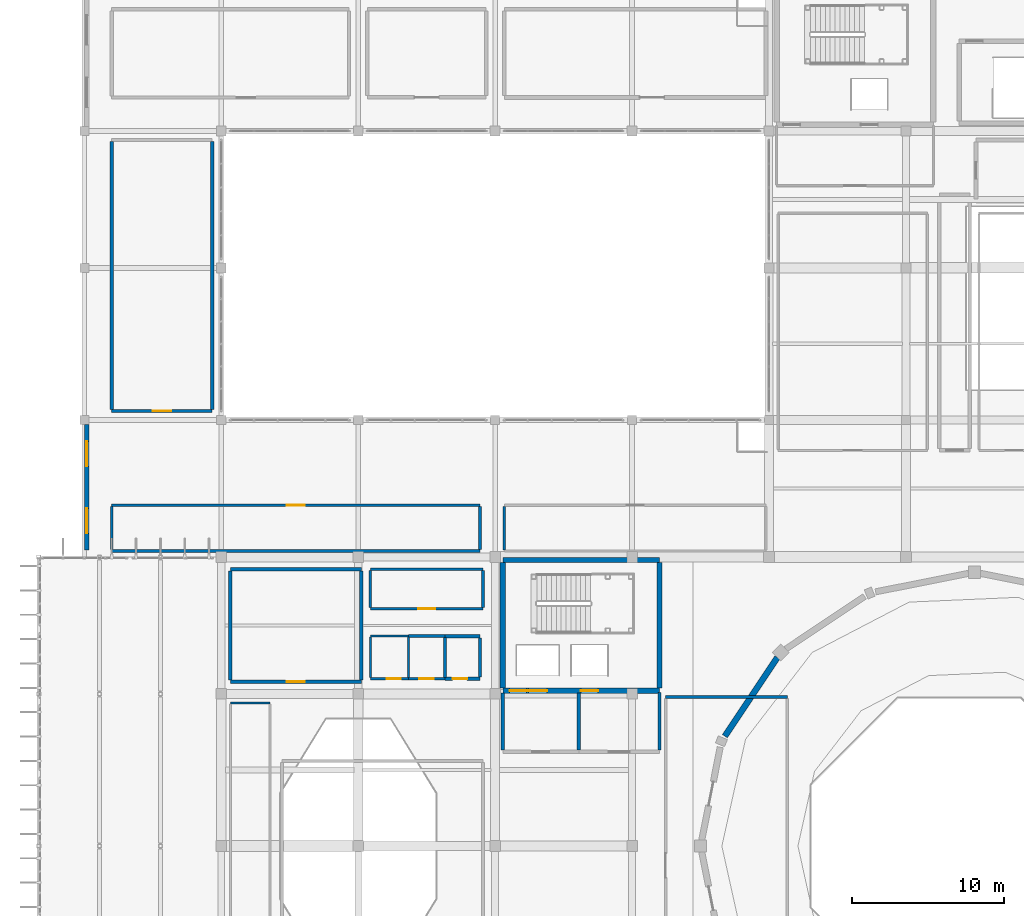
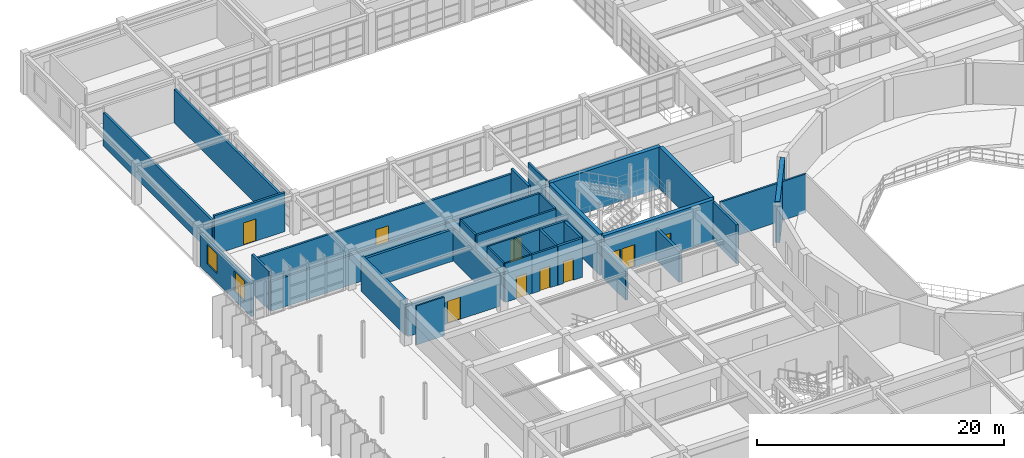
# One storey, part 96 of 110: 37 walls, 10 doors, 2 windows, 12 openings.
"""IFC4 building model written with IfcOpenShell, lengths in metres."""

from ifc_helpers import new_model, si_unit, direction, frame, frame_2d, origin, place, context, subcontext, project, spatial, rectangle, extrude, material, layer, layer_set, type_object, element, fill, save


model = new_model("IFC4")

# Units and contexts
model_context = context("Model", 3, precision=1e-05, world=origin(), true_north=direction((0.0, 1.0)))
body_context = subcontext(model_context, "Body", "Model", "MODEL_VIEW")
ifc_project = project(units=[si_unit("LENGTHUNIT", "METRE"), si_unit("AREAUNIT", "SQUARE_METRE"), si_unit("VOLUMEUNIT", "CUBIC_METRE"), si_unit("PLANEANGLEUNIT", "RADIAN"), si_unit("MASSUNIT", "GRAM", prefix="KILO")], contexts=[model_context])

# Site, building, storey
site_placement = place(None, origin())
site = spatial("IfcSite", under=ifc_project, at=site_placement, CompositionType="ELEMENT")
building_placement = place(site_placement, origin())
building = spatial("IfcBuilding", under=site, at=building_placement, Name="Miravela Opera House", CompositionType="ELEMENT")
storey_placement = place(building_placement, frame((0.0, 0.0, 13.60009765625)))
storey = spatial("IfcBuildingStorey", under=building, at=storey_placement, Name="L03", CompositionType="ELEMENT", Elevation=13.60009765625)

# Wall, openings, windows
ifc_material_1 = material(Name="Insulated cream lime-stuccoed masonry", Category="masonry")
ifc_layer_1 = layer(ifc_material_1, 0.2900390625)
ifc_layer_set_1 = layer_set([ifc_layer_1])
wall_type_1 = type_object("IfcWallType", Name="ARC-EW-STUCCO-290", PredefinedType="STANDARD", material=ifc_layer_set_1)
wall_1_placement = place(storey_placement, frame((18.14990234375, 75.449951171875, 0.0), z_axis=(0.0, 0.0, 1.0), x_axis=(0.0, 1.0, 0.0)))
wall_1 = element("IfcWall", 1, at=wall_1_placement, inside=storey, type_object=wall_type_1, Name="Spanish Colonial Stucco Facade Wall L03-046", PredefinedType="STANDARD", context=body_context, shape_type="SweptSolid", body=[
    extrude(rectangle(XDim=8.25, YDim=0.2900390625, at=frame_2d((4.125, 0.0))), origin(), (0.0, 0.0, 1.0), 3.27685546875),
])
opening_1_placement = place(wall_1_placement, frame((1.10009765625, 0.0, 0.89990234375)))
opening_1 = element("IfcOpeningElement", 2, at=opening_1_placement, cuts=wall_1, Name="Opening W-17", PredefinedType="OPENING", context=body_context, shape_type="SweptSolid", body=[
    extrude(rectangle(XDim=1.64990234375, YDim=1.949951171875, at=frame_2d((0.824951171875, 0.97509765625))), frame((0.0, 0.155029296875, 0.0), z_axis=(0.0, -1.0, 0.0), x_axis=(1.0, 0.0, 0.0)), (0.0, 0.0, 1.0), 0.31005859375),
])
opening_2_placement = place(wall_1_placement, frame((5.5, 0.0, 0.89990234375)))
opening_2 = element("IfcOpeningElement", 3, at=opening_2_placement, cuts=wall_1, Name="Opening W-17", PredefinedType="OPENING", context=body_context, shape_type="SweptSolid", body=[
    extrude(rectangle(XDim=1.64990234375, YDim=1.949951171875, at=frame_2d((0.824951171875, 0.97509765625))), frame((0.0, 0.155029296875, 0.0), z_axis=(0.0, -1.0, 0.0), x_axis=(1.0, 0.0, 0.0)), (0.0, 0.0, 1.0), 0.31005859375),
])
ifc_material_2 = material(Name="Bronze-anodised aluminium and acoustic low-E glass", Category="aluminium")
window_type = type_object("IfcWindowType", Name="ARC-WIN-17", PartitioningType="DOUBLE_PANEL_VERTICAL", PredefinedType="WINDOW", material=ifc_material_2)
window_1_placement = place(opening_1_placement, origin())
window_1 = element("IfcWindow", 4, at=window_1_placement, inside=storey, type_object=window_type, Name="Window W-17 #112", OverallHeight=1.949951171875, OverallWidth=1.64990234375, PartitioningType="DOUBLE_PANEL_VERTICAL", PredefinedType="WINDOW", context=body_context, shape_type="SweptSolid", body=[
    extrude(rectangle(XDim=1.64990234375, YDim=1.949951171875, at=frame_2d((0.824951171875, 0.97509765625))), frame((0.0, 0.030029296875, 0.0), z_axis=(0.0, -1.0, 0.0), x_axis=(1.0, 0.0, 0.0)), (0.0, 0.0, 1.0), 0.06005859375),
])
fill(opening_1, window_1)
window_2_placement = place(opening_2_placement, origin())
window_2 = element("IfcWindow", 5, at=window_2_placement, inside=storey, type_object=window_type, Name="Window W-17 #113", OverallHeight=1.949951171875, OverallWidth=1.64990234375, PartitioningType="DOUBLE_PANEL_VERTICAL", PredefinedType="WINDOW", context=body_context, shape_type="SweptSolid", body=[
    extrude(rectangle(XDim=1.64990234375, YDim=1.949951171875, at=frame_2d((0.824951171875, 0.97509765625))), frame((0.0, 0.030029296875, 0.0), z_axis=(0.0, -1.0, 0.0), x_axis=(1.0, 0.0, 0.0)), (0.0, 0.0, 1.0), 0.06005859375),
])
fill(opening_2, window_2)

# Wall, opening, door
ifc_material_3 = material(Name="Sanitary chase acoustic plumbing wall")
ifc_layer_2 = layer(ifc_material_3, 0.139892578125)
ifc_layer_set_2 = layer_set([ifc_layer_2])
wall_type_2 = type_object("IfcWallType", Name="ARC-PLW-150", PredefinedType="PLUMBINGWALL", material=ifc_layer_set_2)
wall_2_placement = place(storey_placement, frame((36.800048828125, 67.0, 0.0), z_axis=(0.0, 0.0, 1.0), x_axis=(1.0, 0.0, 0.0)))
wall_2 = element("IfcWall", 6, at=wall_2_placement, inside=storey, type_object=wall_type_2, Name="Accessible WC L03 Partition South", PredefinedType="PLUMBINGWALL", context=body_context, shape_type="SweptSolid", body=[
    extrude(rectangle(XDim=2.5, YDim=0.139892578125, at=frame_2d((1.25, 0.0))), origin(), (0.0, 0.0, 1.0), 3.83984375),
])
opening_3_placement = place(wall_2_placement, frame((1.05908203125, 0.0, 0.0)))
opening_3 = element("IfcOpeningElement", 7, at=opening_3_placement, cuts=wall_2, Name="Opening ID-01", PredefinedType="OPENING", context=body_context, shape_type="SweptSolid", body=[
    extrude(rectangle(XDim=0.949951171875, YDim=2.14990234375, at=frame_2d((0.47509765625, 1.074951171875))), frame((0.0, 0.079833984375, 0.0), z_axis=(0.0, -1.0, 0.0), x_axis=(1.0, 0.0, 0.0)), (0.0, 0.0, 1.0), 0.159912109375),
])
ifc_material_4 = material(Name="Solid mahogany acoustic room door")
door_type_1 = type_object("IfcDoorType", Name="ARC-DR-950X2150", OperationType="NOTDEFINED", PredefinedType="DOOR", material=ifc_material_4)
door_1_placement = place(opening_3_placement, origin())
door_1 = element("IfcDoor", 8, at=door_1_placement, inside=storey, type_object=door_type_1, Name="Accessible WC L03 Entry Door IDR-L03-0268", OperationType="SINGLE_SWING_RIGHT", OverallHeight=2.14990234375, OverallWidth=0.949951171875, PredefinedType="DOOR", context=body_context, shape_type="SweptSolid", body=[
    extrude(rectangle(XDim=0.949951171875, YDim=2.14990234375, at=frame_2d((0.47509765625, 1.074951171875))), frame((0.0, 0.02490234375, 0.0), z_axis=(0.0, -1.0, 0.0), x_axis=(1.0, 0.0, 0.0)), (0.0, 0.0, 1.0), 0.050048828125),
])
fill(opening_3, door_1)

# Walls
wall_3_placement = place(storey_placement, frame((36.800048828125, 69.800048828125, 0.0), z_axis=(0.0, 0.0, 1.0), x_axis=(1.0, 0.0, 0.0)))
element("IfcWall", 9, at=wall_3_placement, inside=storey, type_object=wall_type_2, Name="Accessible WC L03 Partition North", PredefinedType="PLUMBINGWALL", context=body_context, shape_type="SweptSolid", body=[
    extrude(rectangle(XDim=2.5, YDim=0.139892578125, at=frame_2d((1.25, 0.0))), origin(), (0.0, 0.0, 1.0), 3.83984375),
])
for number, where, z_axis, x_axis, name in (
    (10, (36.800048828125, 67.070068359375, 0.0), (0.0, 0.0, 1.0), (0.0, 1.0, 0.0), "Accessible WC L03 Partition West"),
    (11, (39.300048828125, 67.070068359375, 0.0), (0.0, 0.0, 1.0), (0.0, 1.0, 0.0), "Accessible WC L03 Partition East"),
):
    element("IfcWall", number, at=place(storey_placement, frame(where, z_axis=z_axis, x_axis=x_axis)), inside=storey, type_object=wall_type_2, Name=name, PredefinedType="PLUMBINGWALL", context=body_context, shape_type="SweptSolid", body=[
        extrude(rectangle(XDim=2.659912109375, YDim=0.139892578125, at=frame_2d((1.330078125, 0.0))), origin(), (0.0, 0.0, 1.0), 3.83984375),
    ])

# Wall, opening, door
ifc_material_5 = material(Name="Public washroom wet-service chase wall")
ifc_layer_3 = layer(ifc_material_5, 0.179931640625)
ifc_layer_set_3 = layer_set([ifc_layer_3])
wall_type_3 = type_object("IfcWallType", Name="ARC-PLW-180", PredefinedType="PLUMBINGWALL", material=ifc_layer_set_3)
wall_4_placement = place(storey_placement, frame((39.300048828125, 67.0, 0.0), z_axis=(0.0, 0.0, 1.0), x_axis=(1.0, 0.0, 0.0)))
wall_4 = element("IfcWall", 12, at=wall_4_placement, inside=storey, type_object=wall_type_3, Name="Female Public WC L03 Partition South", PredefinedType="PLUMBINGWALL", context=body_context, shape_type="SweptSolid", body=[
    extrude(rectangle(XDim=2.39990234375, YDim=0.179931640625, at=frame_2d((1.199951171875, 0.0))), origin(), (0.0, 0.0, 1.0), 3.83984375),
])
opening_4_placement = place(wall_4_placement, frame((0.72509765625, 0.0, 0.0)))
opening_4 = element("IfcOpeningElement", 13, at=opening_4_placement, cuts=wall_4, Name="Opening ID-01", PredefinedType="OPENING", context=body_context, shape_type="SweptSolid", body=[
    extrude(rectangle(XDim=0.949951171875, YDim=2.14990234375, at=frame_2d((0.47509765625, 1.074951171875))), frame((0.0, 0.099853515625, 0.0), z_axis=(0.0, -1.0, 0.0), x_axis=(1.0, 0.0, 0.0)), (0.0, 0.0, 1.0), 0.199951171875),
])
door_2_placement = place(opening_4_placement, origin())
door_2 = element("IfcDoor", 14, at=door_2_placement, inside=storey, type_object=door_type_1, Name="Female Public WC L03 Entry Door IDR-L03-0269", OperationType="SINGLE_SWING_LEFT", OverallHeight=2.14990234375, OverallWidth=0.949951171875, PredefinedType="DOOR", context=body_context, shape_type="SweptSolid", body=[
    extrude(rectangle(XDim=0.949951171875, YDim=2.14990234375, at=frame_2d((0.47509765625, 1.074951171875))), frame((0.0, 0.02490234375, 0.0), z_axis=(0.0, -1.0, 0.0), x_axis=(1.0, 0.0, 0.0)), (0.0, 0.0, 1.0), 0.050048828125),
])
fill(opening_4, door_2)

# Walls
wall_5_placement = place(storey_placement, frame((39.300048828125, 69.800048828125, 0.0), z_axis=(0.0, 0.0, 1.0), x_axis=(1.0, 0.0, 0.0)))
element("IfcWall", 15, at=wall_5_placement, inside=storey, type_object=wall_type_3, Name="Female Public WC L03 Partition North", PredefinedType="PLUMBINGWALL", context=body_context, shape_type="SweptSolid", body=[
    extrude(rectangle(XDim=2.39990234375, YDim=0.179931640625, at=frame_2d((1.199951171875, 0.0))), origin(), (0.0, 0.0, 1.0), 3.83984375),
])
wall_6_placement = place(storey_placement, frame((41.699951171875, 67.090087890625, 0.0), z_axis=(0.0, 0.0, 1.0), x_axis=(0.0, 1.0, 0.0)))
element("IfcWall", 16, at=wall_6_placement, inside=storey, type_object=wall_type_3, Name="Female Public WC L03 Partition East", PredefinedType="PLUMBINGWALL", context=body_context, shape_type="SweptSolid", body=[
    extrude(rectangle(XDim=2.619873046875, YDim=0.179931640625, at=frame_2d((1.31005859375, 0.0))), origin(), (0.0, 0.0, 1.0), 3.83984375),
])

# Wall, opening, door
ifc_material_6 = material(Name="Dressing suite sanitary chase wall")
ifc_layer_4 = layer(ifc_material_6, 0.219970703125)
ifc_layer_set_4 = layer_set([ifc_layer_4])
wall_type_4 = type_object("IfcWallType", Name="ARC-PLW-215", PredefinedType="PLUMBINGWALL", material=ifc_layer_set_4)
wall_7_placement = place(storey_placement, frame((41.699951171875, 67.0, 0.0), z_axis=(0.0, 0.0, 1.0), x_axis=(1.0, 0.0, 0.0)))
wall_7 = element("IfcWall", 17, at=wall_7_placement, inside=storey, type_object=wall_type_4, Name="Male Public WC L03 Partition South", PredefinedType="PLUMBINGWALL", context=body_context, shape_type="SweptSolid", body=[
    extrude(rectangle(XDim=2.300048828125, YDim=0.219970703125, at=frame_2d((1.14990234375, 0.0))), origin(), (0.0, 0.0, 1.0), 3.83984375),
])
opening_5_placement = place(wall_7_placement, frame((0.50927734375, 0.0, 0.0)))
opening_5 = element("IfcOpeningElement", 18, at=opening_5_placement, cuts=wall_7, Name="Opening ID-01", PredefinedType="OPENING", context=body_context, shape_type="SweptSolid", body=[
    extrude(rectangle(XDim=0.949951171875, YDim=2.14990234375, at=frame_2d((0.47509765625, 1.074951171875))), frame((0.0, 0.119873046875, 0.0), z_axis=(0.0, -1.0, 0.0), x_axis=(1.0, 0.0, 0.0)), (0.0, 0.0, 1.0), 0.239990234375),
])
door_3_placement = place(opening_5_placement, origin())
door_3 = element("IfcDoor", 19, at=door_3_placement, inside=storey, type_object=door_type_1, Name="Male Public WC L03 Entry Door IDR-L03-0270", OperationType="SINGLE_SWING_RIGHT", OverallHeight=2.14990234375, OverallWidth=0.949951171875, PredefinedType="DOOR", context=body_context, shape_type="SweptSolid", body=[
    extrude(rectangle(XDim=0.949951171875, YDim=2.14990234375, at=frame_2d((0.47509765625, 1.074951171875))), frame((0.0, 0.02490234375, 0.0), z_axis=(0.0, -1.0, 0.0), x_axis=(1.0, 0.0, 0.0)), (0.0, 0.0, 1.0), 0.050048828125),
])
fill(opening_5, door_3)

# Walls
wall_8_placement = place(storey_placement, frame((41.699951171875, 69.800048828125, 0.0), z_axis=(0.0, 0.0, 1.0), x_axis=(1.0, 0.0, 0.0)))
element("IfcWall", 20, at=wall_8_placement, inside=storey, type_object=wall_type_4, Name="Male Public WC L03 Partition North", PredefinedType="PLUMBINGWALL", context=body_context, shape_type="SweptSolid", body=[
    extrude(rectangle(XDim=2.300048828125, YDim=0.219970703125, at=frame_2d((1.14990234375, 0.0))), origin(), (0.0, 0.0, 1.0), 3.83984375),
])
wall_9_placement = place(storey_placement, frame((44.0, 67.110107421875, 0.0), z_axis=(0.0, 0.0, 1.0), x_axis=(0.0, 1.0, 0.0)))
element("IfcWall", 21, at=wall_9_placement, inside=storey, type_object=wall_type_4, Name="Male Public WC L03 Partition East", PredefinedType="PLUMBINGWALL", context=body_context, shape_type="SweptSolid", body=[
    extrude(rectangle(XDim=2.579833984375, YDim=0.219970703125, at=frame_2d((1.2900390625, 0.0))), origin(), (0.0, 0.0, 1.0), 3.83984375),
])
ifc_material_7 = material(Name="Studio double-stud acoustic partition")
ifc_layer_5 = layer(ifc_material_7, 0.14990234375)
ifc_layer_set_5 = layer_set([ifc_layer_5])
wall_type_5 = type_object("IfcWallType", Name="ARC-PT-145", PredefinedType="PARTITIONING", material=ifc_layer_set_5)
wall_10_placement = place(storey_placement, frame((27.60009765625, 65.39990234375, 0.0), z_axis=(0.0, 0.0, 1.0), x_axis=(1.0, 0.0, 0.0)))
element("IfcWall", 22, at=wall_10_placement, inside=storey, type_object=wall_type_5, Name="Opera Chorus Vocal Practice Hall Partition North", PredefinedType="PARTITIONING", context=body_context, shape_type="SweptSolid", body=[
    extrude(rectangle(XDim=2.599853515625, YDim=0.14990234375, at=frame_2d((1.2998046875, 0.0))), origin(), (0.0, 0.0, 1.0), 3.83984375),
])
wall_11_placement = place(storey_placement, frame((45.60009765625, 75.47509765625, 0.0), z_axis=(0.0, 0.0, 1.0), x_axis=(0.0, 1.0, 0.0)))
element("IfcWall", 23, at=wall_11_placement, inside=storey, type_object=wall_type_5, Name="Historical Stage Design Gallery Partition West", PredefinedType="PARTITIONING", context=body_context, shape_type="SweptSolid", body=[
    extrude(rectangle(XDim=2.849853515625, YDim=0.14990234375, at=frame_2d((1.4248046875, 0.0))), origin(), (0.0, 0.0, 1.0), 3.83984375),
])
ifc_material_8 = material(Name="Rehearsal isolated acoustic partition")
ifc_layer_6 = layer(ifc_material_8, 0.169921875)
ifc_layer_set_6 = layer_set([ifc_layer_6])
wall_type_6 = type_object("IfcWallType", Name="ARC-PT-170", PredefinedType="PARTITIONING", material=ifc_layer_set_6)
wall_12_placement = place(storey_placement, frame((56.199951171875, 65.800048828125, 0.0), z_axis=(0.0, 0.0, 1.0), x_axis=(1.0, 0.0, 0.0)))
element("IfcWall", 24, at=wall_12_placement, inside=storey, type_object=wall_type_6, Name="Opera Auditorium West Upper Circle Salon Partition North", PredefinedType="PARTITIONING", context=body_context, shape_type="SweptSolid", body=[
    extrude(rectangle(XDim=8.0, YDim=0.169921875, at=frame_2d((4.0, 0.0))), origin(), (0.0, 0.0, 1.0), 3.83984375),
])

# Wall, opening, door
wall_13_placement = place(storey_placement, frame((36.800048828125, 71.60009765625, 0.0), z_axis=(0.0, 0.0, 1.0), x_axis=(1.0, 0.0, 0.0)))
wall_13 = element("IfcWall", 25, at=wall_13_placement, inside=storey, type_object=wall_type_6, Name="Scenic Digital Projection Lab Partition South", PredefinedType="PARTITIONING", context=body_context, shape_type="SweptSolid", body=[
    extrude(rectangle(XDim=7.39990234375, YDim=0.169921875, at=frame_2d((3.699951171875, 0.0))), origin(), (0.0, 0.0, 1.0), 3.83984375),
])
opening_6_placement = place(wall_13_placement, frame((3.14990234375, 0.0, 0.0)))
opening_6 = element("IfcOpeningElement", 26, at=opening_6_placement, cuts=wall_13, Name="Opening ID-03", PredefinedType="OPENING", context=body_context, shape_type="SweptSolid", body=[
    extrude(rectangle(XDim=1.10009765625, YDim=2.199951171875, at=frame_2d((0.550048828125, 1.10009765625))), frame((0.0, 0.094970703125, 0.0), z_axis=(0.0, -1.0, 0.0), x_axis=(1.0, 0.0, 0.0)), (0.0, 0.0, 1.0), 0.18994140625),
])
ifc_material_9 = material(Name="Acoustic hardwood studio door", Category="wood")
door_type_2 = type_object("IfcDoorType", Name="ARC-DR-1100X2200", OperationType="NOTDEFINED", PredefinedType="DOOR", material=ifc_material_9)
door_4_placement = place(opening_6_placement, frame((1.10009765625, 0.0, 0.0), z_axis=(0.0, 0.0, 1.0), x_axis=(-1.0, 0.0, 0.0)))
door_4 = element("IfcDoor", 27, at=door_4_placement, inside=storey, type_object=door_type_2, Name="Scenic Digital Projection Lab Entry Door IDR-L03-0299", OperationType="SINGLE_SWING_RIGHT", OverallHeight=2.199951171875, OverallWidth=1.10009765625, PredefinedType="DOOR", context=body_context, shape_type="SweptSolid", body=[
    extrude(rectangle(XDim=1.10009765625, YDim=2.199951171875, at=frame_2d((0.550048828125, 1.10009765625))), frame((0.0, 0.02490234375, 0.0), z_axis=(0.0, -1.0, 0.0), x_axis=(1.0, 0.0, 0.0)), (0.0, 0.0, 1.0), 0.050048828125),
])
fill(opening_6, door_4)

# Walls
wall_14_placement = place(storey_placement, frame((36.800048828125, 74.199951171875, 0.0), z_axis=(0.0, 0.0, 1.0), x_axis=(1.0, 0.0, 0.0)))
element("IfcWall", 28, at=wall_14_placement, inside=storey, type_object=wall_type_6, Name="Scenic Digital Projection Lab Partition North", PredefinedType="PARTITIONING", context=body_context, shape_type="SweptSolid", body=[
    extrude(rectangle(XDim=7.39990234375, YDim=0.169921875, at=frame_2d((3.699951171875, 0.0))), origin(), (0.0, 0.0, 1.0), 3.83984375),
])
for number, where, z_axis, x_axis, name in (
    (29, (36.800048828125, 71.68505859375, 0.0), (0.0, 0.0, 1.0), (0.0, 1.0, 0.0), "Scenic Digital Projection Lab Partition West"),
    (30, (44.199951171875, 71.68505859375, 0.0), (0.0, 0.0, 1.0), (0.0, 1.0, 0.0), "Scenic Digital Projection Lab Partition East"),
):
    element("IfcWall", number, at=place(storey_placement, frame(where, z_axis=z_axis, x_axis=x_axis)), inside=storey, type_object=wall_type_6, Name=name, PredefinedType="PARTITIONING", context=body_context, shape_type="SweptSolid", body=[
        extrude(rectangle(XDim=2.429931640625, YDim=0.169921875, at=frame_2d((1.21484375, 0.0))), origin(), (0.0, 0.0, 1.0), 3.83984375),
    ])
ifc_material_10 = material(Name="Corridor fire-resisting masonry partition", Category="masonry")
ifc_layer_7 = layer(ifc_material_10, 0.18994140625)
ifc_layer_set_7 = layer_set([ifc_layer_7])
wall_type_7 = type_object("IfcWallType", Name="ARC-PT-190", PredefinedType="PARTITIONING", material=ifc_layer_set_7)
wall_15_placement = place(storey_placement, frame((19.800048828125, 75.39990234375, 0.0), z_axis=(0.0, 0.0, 1.0), x_axis=(1.0, 0.0, 0.0)))
element("IfcWall", 31, at=wall_15_placement, inside=storey, type_object=wall_type_7, Name="Choreography Video Analysis Studio Partition South", PredefinedType="PARTITIONING", context=body_context, shape_type="SweptSolid", body=[
    extrude(rectangle(XDim=24.199951171875, YDim=0.18994140625, at=frame_2d((12.10009765625, 0.0))), origin(), (0.0, 0.0, 1.0), 2.919921875),
])

# Wall, opening, door
wall_16_placement = place(storey_placement, frame((19.800048828125, 78.39990234375, 0.0), z_axis=(0.0, 0.0, 1.0), x_axis=(1.0, 0.0, 0.0)))
wall_16 = element("IfcWall", 32, at=wall_16_placement, inside=storey, type_object=wall_type_7, Name="Choreography Video Analysis Studio Partition North", PredefinedType="PARTITIONING", context=body_context, shape_type="SweptSolid", body=[
    extrude(rectangle(XDim=24.199951171875, YDim=0.18994140625, at=frame_2d((12.10009765625, 0.0))), origin(), (0.0, 0.0, 1.0), 3.27685546875),
])
opening_7_placement = place(wall_16_placement, frame((11.5, 0.0, 0.0)))
opening_7 = element("IfcOpeningElement", 33, at=opening_7_placement, cuts=wall_16, Name="Opening ID-04", PredefinedType="OPENING", context=body_context, shape_type="SweptSolid", body=[
    extrude(rectangle(XDim=1.199951171875, YDim=2.199951171875, at=frame_2d((0.60009765625, 1.10009765625))), frame((0.0, 0.10498046875, 0.0), z_axis=(0.0, -1.0, 0.0), x_axis=(1.0, 0.0, 0.0)), (0.0, 0.0, 1.0), 0.2099609375),
])
ifc_material_11 = material(Name="Wide acoustic ensemble door")
door_type_3 = type_object("IfcDoorType", Name="ARC-DR-1200X2200", OperationType="NOTDEFINED", PredefinedType="DOOR", material=ifc_material_11)
door_5_placement = place(opening_7_placement, origin())
door_5 = element("IfcDoor", 34, at=door_5_placement, inside=storey, type_object=door_type_3, Name="Choreography Video Analysis Studio Entry Door IDR-L03-0281", OperationType="SINGLE_SWING_RIGHT", OverallHeight=2.199951171875, OverallWidth=1.199951171875, PredefinedType="DOOR", context=body_context, shape_type="SweptSolid", body=[
    extrude(rectangle(XDim=1.199951171875, YDim=2.199951171875, at=frame_2d((0.60009765625, 1.10009765625))), frame((0.0, 0.02490234375, 0.0), z_axis=(0.0, -1.0, 0.0), x_axis=(1.0, 0.0, 0.0)), (0.0, 0.0, 1.0), 0.050048828125),
])
fill(opening_7, door_5)

# Walls
for number, where, z_axis, x_axis, name in (
    (35, (19.800048828125, 75.4951171875, 0.0), (0.0, 0.0, 1.0), (0.0, 1.0, 0.0), "Choreography Video Analysis Studio Partition West"),
    (36, (44.0, 75.4951171875, 0.0), (0.0, 0.0, 1.0), (0.0, 1.0, 0.0), "Choreography Video Analysis Studio Partition East"),
):
    element("IfcWall", number, at=place(storey_placement, frame(where, z_axis=z_axis, x_axis=x_axis)), inside=storey, type_object=wall_type_7, Name=name, PredefinedType="PARTITIONING", context=body_context, shape_type="SweptSolid", body=[
        extrude(rectangle(XDim=2.809814453125, YDim=0.18994140625, at=frame_2d((1.40478515625, 0.0))), origin(), (0.0, 0.0, 1.0), 3.83984375),
    ])

# Wall, opening, door
ifc_material_12 = material(Name="High-STC auditorium lobby partition")
ifc_layer_8 = layer(ifc_material_12, 0.22998046875)
ifc_layer_set_8 = layer_set([ifc_layer_8])
wall_type_8 = type_object("IfcWallType", Name="ARC-PT-205", PredefinedType="PARTITIONING", material=ifc_layer_set_8)
wall_17_placement = place(storey_placement, frame((27.60009765625, 66.800048828125, 0.0), z_axis=(0.0, 0.0, 1.0), x_axis=(1.0, 0.0, 0.0)))
wall_17 = element("IfcWall", 37, at=wall_17_placement, inside=storey, type_object=wall_type_8, Name="Contemporary Dance and Mime Studio Partition South", PredefinedType="PARTITIONING", context=body_context, shape_type="SweptSolid", body=[
    extrude(rectangle(XDim=8.599853515625, YDim=0.22998046875, at=frame_2d((4.2998046875, 0.0))), origin(), (0.0, 0.0, 1.0), 3.119873046875),
])
opening_8_placement = place(wall_17_placement, frame((3.699951171875, 0.0, 0.0)))
opening_8 = element("IfcOpeningElement", 38, at=opening_8_placement, cuts=wall_17, Name="Opening ID-04", PredefinedType="OPENING", context=body_context, shape_type="SweptSolid", body=[
    extrude(rectangle(XDim=1.199951171875, YDim=2.199951171875, at=frame_2d((0.60009765625, 1.10009765625))), frame((0.0, 0.125, 0.0), z_axis=(0.0, -1.0, 0.0), x_axis=(1.0, 0.0, 0.0)), (0.0, 0.0, 1.0), 0.25),
])
door_6_placement = place(opening_8_placement, origin())
door_6 = element("IfcDoor", 39, at=door_6_placement, inside=storey, type_object=door_type_3, Name="Contemporary Dance and Mime Studio Entry Door IDR-L03-0293", OperationType="SINGLE_SWING_RIGHT", OverallHeight=2.199951171875, OverallWidth=1.199951171875, PredefinedType="DOOR", context=body_context, shape_type="SweptSolid", body=[
    extrude(rectangle(XDim=1.199951171875, YDim=2.199951171875, at=frame_2d((0.60009765625, 1.10009765625))), frame((0.0, 0.02490234375, 0.0), z_axis=(0.0, -1.0, 0.0), x_axis=(1.0, 0.0, 0.0)), (0.0, 0.0, 1.0), 0.050048828125),
])
fill(opening_8, door_6)

# Walls
wall_18_placement = place(storey_placement, frame((27.60009765625, 74.199951171875, 0.0), z_axis=(0.0, 0.0, 1.0), x_axis=(1.0, 0.0, 0.0)))
element("IfcWall", 40, at=wall_18_placement, inside=storey, type_object=wall_type_8, Name="Contemporary Dance and Mime Studio Partition North", PredefinedType="PARTITIONING", context=body_context, shape_type="SweptSolid", body=[
    extrude(rectangle(XDim=8.599853515625, YDim=0.22998046875, at=frame_2d((4.2998046875, 0.0))), origin(), (0.0, 0.0, 1.0), 3.119873046875),
])
wall_19_placement = place(storey_placement, frame((27.60009765625, 66.9150390625, 0.0), z_axis=(0.0, 0.0, 1.0), x_axis=(0.0, 1.0, 0.0)))
element("IfcWall", 41, at=wall_19_placement, inside=storey, type_object=wall_type_8, Name="Contemporary Dance and Mime Studio Partition West", PredefinedType="PARTITIONING", context=body_context, shape_type="SweptSolid", body=[
    extrude(rectangle(XDim=7.169921875, YDim=0.22998046875, at=frame_2d((3.5849609375, 0.0))), origin(), (0.0, 0.0, 1.0), 3.469970703125),
])
wall_20_placement = place(storey_placement, frame((36.199951171875, 66.9150390625, 0.0), z_axis=(0.0, 0.0, 1.0), x_axis=(0.0, 1.0, 0.0)))
element("IfcWall", 42, at=wall_20_placement, inside=storey, type_object=wall_type_8, Name="Contemporary Dance and Mime Studio Partition East", PredefinedType="PARTITIONING", context=body_context, shape_type="SweptSolid", body=[
    extrude(rectangle(XDim=7.169921875, YDim=0.22998046875, at=frame_2d((3.5849609375, 0.0))), origin(), (0.0, 0.0, 1.0), 3.119873046875),
])
ifc_material_13 = material(Name="Workshop fire-resisting block partition")
ifc_layer_9 = layer(ifc_material_13, 0.2099609375)
ifc_layer_set_9 = layer_set([ifc_layer_9])
wall_type_9 = type_object("IfcWallType", Name="ARC-PT-210", PredefinedType="PARTITIONING", material=ifc_layer_set_9)
wall_21_placement = place(storey_placement, frame((55.800048828125, 62.304931640625, 0.0), z_axis=(0.0, 0.0, 1.0), x_axis=(0.0, 1.0, 0.0)))
element("IfcWall", 43, at=wall_21_placement, inside=storey, type_object=wall_type_9, Name="Passenger Lift Lobby K1 L03 Partition East", PredefinedType="PARTITIONING", context=body_context, shape_type="SweptSolid", body=[
    extrude(rectangle(XDim=3.7900390625, YDim=0.2099609375, at=frame_2d((1.89501953125, 0.0))), origin(), (0.0, 0.0, 1.0), 3.83984375),
])

# Wall, opening, door
wall_22_placement = place(storey_placement, frame((19.800048828125, 84.60009765625, 0.0), z_axis=(0.0, 0.0, 1.0), x_axis=(1.0, 0.0, 0.0)))
wall_22 = element("IfcWall", 44, at=wall_22_placement, inside=storey, type_object=wall_type_9, Name="Dancer Warm-Up and Barre Studio Partition South", PredefinedType="PARTITIONING", context=body_context, shape_type="SweptSolid", body=[
    extrude(rectangle(XDim=6.599853515625, YDim=0.2099609375, at=frame_2d((3.2998046875, 0.0))), origin(), (0.0, 0.0, 1.0), 3.83984375),
])
opening_9_placement = place(wall_22_placement, frame((2.699951171875, 0.0, 0.0)))
opening_9 = element("IfcOpeningElement", 45, at=opening_9_placement, cuts=wall_22, Name="Opening ID-04", PredefinedType="OPENING", context=body_context, shape_type="SweptSolid", body=[
    extrude(rectangle(XDim=1.199951171875, YDim=2.199951171875, at=frame_2d((0.60009765625, 1.10009765625))), frame((0.0, 0.114990234375, 0.0), z_axis=(0.0, -1.0, 0.0), x_axis=(1.0, 0.0, 0.0)), (0.0, 0.0, 1.0), 0.22998046875),
])
door_7_placement = place(opening_9_placement, origin())
door_7 = element("IfcDoor", 46, at=door_7_placement, inside=storey, type_object=door_type_3, Name="Dancer Warm-Up and Barre Studio Entry Door IDR-L03-0282", OperationType="SINGLE_SWING_LEFT", OverallHeight=2.199951171875, OverallWidth=1.199951171875, PredefinedType="DOOR", context=body_context, shape_type="SweptSolid", body=[
    extrude(rectangle(XDim=1.199951171875, YDim=2.199951171875, at=frame_2d((0.60009765625, 1.10009765625))), frame((0.0, 0.02490234375, 0.0), z_axis=(0.0, -1.0, 0.0), x_axis=(1.0, 0.0, 0.0)), (0.0, 0.0, 1.0), 0.050048828125),
])
fill(opening_9, door_7)

# Walls
for number, where, z_axis, x_axis, name in (
    (47, (19.800048828125, 84.705078125, 0.0), (0.0, 0.0, 1.0), (0.0, 1.0, 0.0), "Dancer Warm-Up and Barre Studio Partition West"),
    (48, (26.39990234375, 84.705078125, 0.0), (0.0, 0.0, 1.0), (0.0, 1.0, 0.0), "Dancer Warm-Up and Barre Studio Partition East"),
):
    element("IfcWall", number, at=place(storey_placement, frame(where, z_axis=z_axis, x_axis=x_axis)), inside=storey, type_object=wall_type_9, Name=name, PredefinedType="PARTITIONING", context=body_context, shape_type="SweptSolid", body=[
        extrude(rectangle(XDim=17.58984375, YDim=0.2099609375, at=frame_2d((8.794921875, 0.0))), origin(), (0.0, 0.0, 1.0), 3.27685546875),
    ])
ifc_material_14 = material(Name="Firefighting lobby compartment wall")
ifc_layer_10 = layer(ifc_material_14, 0.25)
ifc_layer_set_10 = layer_set([ifc_layer_10])
wall_type_10 = type_object("IfcWallType", Name="ARC-PT-220", PredefinedType="PARTITIONING", material=ifc_layer_set_10)
for number, where, z_axis, x_axis, name in (
    (49, (45.5, 62.324951171875, 0.0), (0.0, 0.0, 1.0), (0.0, 1.0, 0.0), "Firefighting Lobby K1 L03 Partition West"),
    (50, (50.5, 62.324951171875, 0.0), (0.0, 0.0, 1.0), (0.0, 1.0, 0.0), "Firefighting Lobby K1 L03 Partition East"),
):
    element("IfcWall", number, at=place(storey_placement, frame(where, z_axis=z_axis, x_axis=x_axis)), inside=storey, type_object=wall_type_10, Name=name, PredefinedType="PARTITIONING", context=body_context, shape_type="SweptSolid", body=[
        extrude(rectangle(XDim=3.75, YDim=0.25, at=frame_2d((1.875, 0.0))), origin(), (0.0, 0.0, 1.0), 3.06982421875),
    ])

# Wall, openings, doors
ifc_material_15 = material(Name="Concrete C40/50", Category="concrete")
ifc_layer_11 = layer(ifc_material_15, 0.35009765625)
ifc_layer_set_11 = layer_set([ifc_layer_11])
wall_type_11 = type_object("IfcWallType", Name="STR-WALL-CORE-350", PredefinedType="SHEAR", material=ifc_layer_set_11)
wall_23_placement = place(storey_placement, frame((45.5, 66.199951171875, 0.0), z_axis=(0.0, 0.0, 1.0), x_axis=(1.0, 0.0, 0.0)))
wall_23 = element("IfcWall", 51, at=wall_23_placement, inside=storey, type_object=wall_type_11, Name="Core K1 Shear Wall South (L03)", PredefinedType="SHEAR", context=body_context, shape_type="SweptSolid", body=[
    extrude(rectangle(XDim=10.300048828125, YDim=0.35009765625, at=frame_2d((5.14990234375, 0.0))), origin(), (0.0, 0.0, 1.0), 4.079833984375),
])
opening_10_placement = place(wall_23_placement, frame((0.449951171875, 0.0, 0.0)))
opening_10 = element("IfcOpeningElement", 52, at=opening_10_placement, cuts=wall_23, Name="Opening FD-01", PredefinedType="OPENING", context=body_context, shape_type="SweptSolid", body=[
    extrude(rectangle(XDim=1.10009765625, YDim=2.199951171875, at=frame_2d((0.550048828125, 1.10009765625))), frame((0.0, 0.18505859375, 0.0), z_axis=(0.0, -1.0, 0.0), x_axis=(1.0, 0.0, 0.0)), (0.0, 0.0, 1.0), 0.3701171875),
])
opening_11_placement = place(wall_23_placement, frame((1.68994140625, 0.0, 0.0)))
opening_11 = element("IfcOpeningElement", 53, at=opening_11_placement, cuts=wall_23, Name="Opening LD-01", PredefinedType="OPENING", context=body_context, shape_type="SweptSolid", body=[
    extrude(rectangle(XDim=1.219970703125, YDim=2.199951171875, at=frame_2d((0.60986328125, 1.10009765625))), frame((0.0, 0.18505859375, 0.0), z_axis=(0.0, -1.0, 0.0), x_axis=(1.0, 0.0, 0.0)), (0.0, 0.0, 1.0), 0.3701171875),
])
opening_12_placement = place(wall_23_placement, frame((5.139892578125, 0.0, 0.0)))
opening_12 = element("IfcOpeningElement", 54, at=opening_12_placement, cuts=wall_23, Name="Opening LD-02", PredefinedType="OPENING", context=body_context, shape_type="SweptSolid", body=[
    extrude(rectangle(XDim=1.1201171875, YDim=2.159912109375, at=frame_2d((0.56005859375, 1.080078125))), frame((0.0, 0.18505859375, 0.0), z_axis=(0.0, -1.0, 0.0), x_axis=(1.0, 0.0, 0.0)), (0.0, 0.0, 1.0), 0.3701171875),
])
ifc_material_16 = material(Name="Fire-rated steel/hardwood exit stair door", Category="steel")
door_type_4 = type_object("IfcDoorType", Name="ARC-FD-1100X2200", OperationType="NOTDEFINED", PredefinedType="DOOR", material=ifc_material_16)
door_8_placement = place(opening_10_placement, origin())
door_8 = element("IfcDoor", 55, at=door_8_placement, inside=storey, type_object=door_type_4, Name="Exit Stair ST-01 Rated Door (L03) IDR-L03-0005", OperationType="SINGLE_SWING_LEFT", OverallHeight=2.199951171875, OverallWidth=1.10009765625, PredefinedType="DOOR", context=body_context, shape_type="SweptSolid", body=[
    extrude(rectangle(XDim=1.10009765625, YDim=2.199951171875, at=frame_2d((0.550048828125, 1.10009765625))), frame((0.0, 0.02490234375, 0.0), z_axis=(0.0, -1.0, 0.0), x_axis=(1.0, 0.0, 0.0)), (0.0, 0.0, 1.0), 0.050048828125),
])
fill(opening_10, door_8)
ifc_material_17 = material(Name="Brushed stainless and bronze fire-rated lift landing door")
door_type_5 = type_object("IfcDoorType", Name="ARC-LD-FFL-1200X2200", OperationType="SLIDING_TO_LEFT", PredefinedType="DOOR", material=ifc_material_17)
door_9_placement = place(opening_11_placement, origin())
door_9 = element("IfcDoor", 56, at=door_9_placement, inside=storey, type_object=door_type_5, Name="Lift Landing Door FFL-01 (L03)", OperationType="SLIDING_TO_LEFT", OverallHeight=2.199951171875, OverallWidth=1.219970703125, PredefinedType="DOOR", context=body_context, shape_type="SweptSolid", body=[
    extrude(rectangle(XDim=1.219970703125, YDim=2.199951171875, at=frame_2d((0.60986328125, 1.10009765625))), frame((0.0, 0.02490234375, 0.0), z_axis=(0.0, -1.0, 0.0), x_axis=(1.0, 0.0, 0.0)), (0.0, 0.0, 1.0), 0.050048828125),
])
fill(opening_11, door_9)
door_type_6 = type_object("IfcDoorType", Name="ARC-LD-PAX-1100X2150", OperationType="SLIDING_TO_LEFT", PredefinedType="DOOR", material=ifc_material_17)
door_10_placement = place(opening_12_placement, origin())
door_10 = element("IfcDoor", 57, at=door_10_placement, inside=storey, type_object=door_type_6, Name="Lift Landing Door PL-01 (L03)", OperationType="SLIDING_TO_LEFT", OverallHeight=2.159912109375, OverallWidth=1.1201171875, PredefinedType="DOOR", context=body_context, shape_type="SweptSolid", body=[
    extrude(rectangle(XDim=1.1201171875, YDim=2.159912109375, at=frame_2d((0.56005859375, 1.080078125))), frame((0.0, 0.02490234375, 0.0), z_axis=(0.0, -1.0, 0.0), x_axis=(1.0, 0.0, 0.0)), (0.0, 0.0, 1.0), 0.050048828125),
])
fill(opening_12, door_10)

# Walls
wall_24_placement = place(storey_placement, frame((45.5, 74.800048828125, 0.0), z_axis=(0.0, 0.0, 1.0), x_axis=(1.0, 0.0, 0.0)))
element("IfcWall", 58, at=wall_24_placement, inside=storey, type_object=wall_type_11, Name="Core K1 Shear Wall North (L03)", PredefinedType="SHEAR", context=body_context, shape_type="SweptSolid", body=[
    extrude(rectangle(XDim=10.300048828125, YDim=0.35009765625, at=frame_2d((5.14990234375, 0.0))), origin(), (0.0, 0.0, 1.0), 4.079833984375),
])
for number, where, z_axis, x_axis, name in (
    (59, (45.5, 66.375, 0.0), (0.0, 0.0, 1.0), (0.0, 1.0, 0.0), "Core K1 Shear Wall West (L03)"),
    (60, (55.800048828125, 66.375, 0.0), (0.0, 0.0, 1.0), (0.0, 1.0, 0.0), "Core K1 Shear Wall East (L03)"),
):
    element("IfcWall", number, at=place(storey_placement, frame(where, z_axis=z_axis, x_axis=x_axis)), inside=storey, type_object=wall_type_11, Name=name, PredefinedType="SHEAR", context=body_context, shape_type="SweptSolid", body=[
        extrude(rectangle(XDim=8.25, YDim=0.35009765625, at=frame_2d((4.125, 0.0))), origin(), (0.0, 0.0, 1.0), 4.079833984375),
    ])
ifc_layer_12 = layer(ifc_material_15, 0.39990234375)
ifc_layer_set_12 = layer_set([ifc_layer_12])
wall_type_12 = type_object("IfcWallType", Name="STR-WALL-DRUM-400", PredefinedType="SHEAR", material=ifc_layer_set_12)
wall_25_placement = place(storey_placement, frame((63.5498046875, 68.395263671875, 0.0), z_axis=(0.0, 0.0, 1.0), x_axis=(-0.555587101324, -0.831458341015, 0.0)))
element("IfcWall", 61, at=wall_25_placement, inside=storey, type_object=wall_type_12, Name="Auditorium Drum Shear Wall L03 Seg 7", PredefinedType="SHEAR", context=body_context, shape_type="SweptSolid", body=[
    extrude(rectangle(XDim=6.22314453125, YDim=0.39990234375, at=frame_2d((3.111572265625, 0.0))), origin(), (0.0, 0.0, 1.0), 4.079833984375),
])

save(model, "model.ifc")
